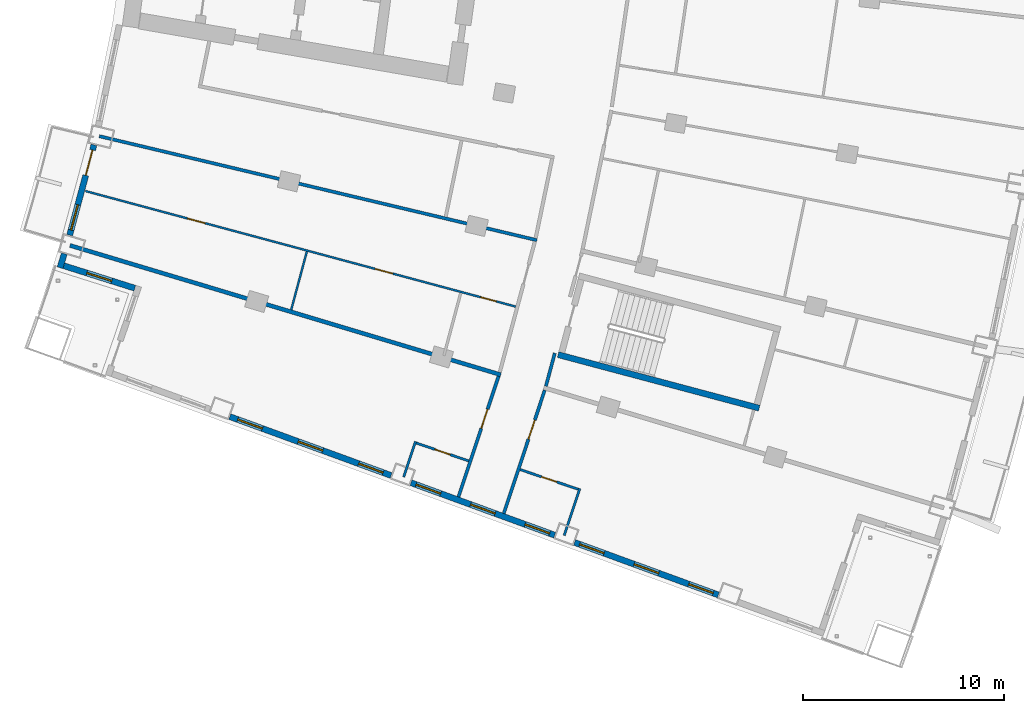
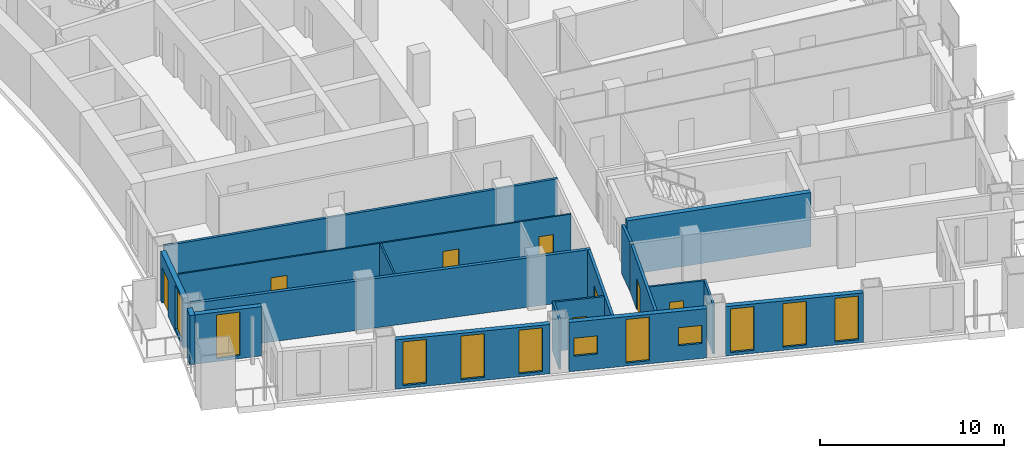
# One storey, part 13 of 25: 18 walls, 11 windows, 8 doors, 19 openings.
"""IFC4 building model written with IfcOpenShell, lengths in metres."""

from ifc_helpers import new_model, si_unit, direction, frame, frame_2d, origin, place, context, subcontext, project, spatial, rectangle, extrude, material, layer, layer_set, type_object, element, fill, save


model = new_model("IFC4")

# Units and contexts
model_context = context("Model", 3, precision=1e-05, world=origin(), true_north=direction((0.0, 1.0)))
body_context = subcontext(model_context, "Body", "Model", "MODEL_VIEW")
ifc_project = project(units=[si_unit("LENGTHUNIT", "METRE"), si_unit("AREAUNIT", "SQUARE_METRE"), si_unit("VOLUMEUNIT", "CUBIC_METRE"), si_unit("PLANEANGLEUNIT", "RADIAN"), si_unit("MASSUNIT", "GRAM", prefix="KILO")], contexts=[model_context])

# Site, building, storey
site_placement = place(None, origin())
site = spatial("IfcSite", under=ifc_project, at=site_placement, CompositionType="ELEMENT")
building_placement = place(site_placement, origin())
building = spatial("IfcBuilding", under=site, at=building_placement, Name="Alderwake Tower", CompositionType="ELEMENT")
storey_placement = place(building_placement, frame((0.0, 0.0, 86.0)))
storey = spatial("IfcBuildingStorey", under=building, at=storey_placement, Name="L20", CompositionType="ELEMENT", Elevation=86.0)

# Walls
ifc_material_1 = material(Name="Concrete C70/85", Category="concrete")
ifc_layer_1 = layer(ifc_material_1, 0.300048828125)
ifc_layer_set_1 = layer_set([ifc_layer_1], Name="Core wall stair enclosure 300 C70-85")
wall_type_1 = type_object("IfcWallType", Name="Core wall stair enclosure 300 C70-85", PredefinedType="SHEAR", material=ifc_layer_set_1)
wall_1_placement = place(storey_placement, frame((36.71142578125, 27.817626953125, 0.0), z_axis=(0.0, 0.0, 1.0), x_axis=(0.966309214305, -0.257383958996, 0.0)))
element("IfcWall", 1, at=wall_1_placement, inside=storey, type_object=wall_type_1, Name="Core wall CW.088", PredefinedType="SHEAR", context=body_context, shape_type="SweptSolid", body=[
    extrude(rectangle(XDim=10.360107421875, YDim=0.300048828125, at=frame_2d((5.18017578125, 0.0))), origin(), (0.0, 0.0, 1.0), 3.60009765625),
])
ifc_material_2 = material(Name="Gypsum board on metal studs, rated")
ifc_layer_2 = layer(ifc_material_2, 0.159912109375)
ifc_layer_set_2 = layer_set([ifc_layer_2], Name="Corridor wall 160")
wall_type_2 = type_object("IfcWallType", Name="Corridor wall 160", PredefinedType="PARTITIONING", material=ifc_layer_set_2)
wall_2_placement = place(storey_placement, frame((13.884033203125, 38.68798828125, 0.0), z_axis=(0.0, 0.0, 1.0), x_axis=(0.972893462073, -0.231253781493, 0.0)))
element("IfcWall", 2, at=wall_2_placement, inside=storey, type_object=wall_type_2, Name="WL/L20/W15", PredefinedType="PARTITIONING", context=body_context, shape_type="SweptSolid", body=[
    extrude(rectangle(XDim=22.38037109375, YDim=0.159912109375, at=frame_2d((11.190185546875, 0.0))), origin(), (0.0, 0.0, 1.0), 3.280029296875),
])

# Wall, opening, door
wall_3_placement = place(storey_placement, frame((31.7548828125, 20.739013671875, 0.0), z_axis=(0.0, 0.0, 1.0), x_axis=(0.31554473692, 0.948910701279, 0.0)))
wall_3 = element("IfcWall", 3, at=wall_3_placement, inside=storey, type_object=wall_type_2, Name="WL/L20/W21", PredefinedType="PARTITIONING", context=body_context, shape_type="SweptSolid", body=[
    extrude(rectangle(XDim=6.327392578125, YDim=0.159912109375, at=frame_2d((3.16357421875, 0.0))), origin(), (0.0, 0.0, 1.0), 3.280029296875),
])
opening_1_placement = place(wall_3_placement, frame((3.59130859375, 0.0, 0.0)))
opening_1 = element("IfcOpeningElement", 4, at=opening_1_placement, cuts=wall_3, Name="Opening R05-U09.1", PredefinedType="OPENING", context=body_context, shape_type="SweptSolid", body=[
    extrude(rectangle(XDim=1.0, YDim=2.10009765625, at=frame_2d((0.5, 1.050048828125))), frame((0.0, 0.08984375, 0.0), z_axis=(0.0, -1.0, 0.0), x_axis=(1.0, 0.0, 0.0)), (0.0, 0.0, 1.0), 0.179931640625),
])
ifc_material_3 = material(Name="Solid timber leaf in steel frame", Category="steel")
door_type_1 = type_object("IfcDoorType", Name="Flat entrance door 1000 fire-rated", OperationType="SINGLE_SWING_LEFT", PredefinedType="DOOR", material=ifc_material_3)
door_1_placement = place(opening_1_placement, origin())
door_1 = element("IfcDoor", 5, at=door_1_placement, inside=storey, type_object=door_type_1, Name="DR/L20/U09.1", OperationType="SINGLE_SWING_LEFT", OverallHeight=2.10009765625, OverallWidth=1.0, PredefinedType="DOOR", context=body_context, shape_type="SweptSolid", body=[
    extrude(rectangle(XDim=1.0, YDim=2.10009765625, at=frame_2d((0.5, 1.050048828125))), frame((0.0, 0.02490234375, 0.0), z_axis=(0.0, -1.0, 0.0), x_axis=(1.0, 0.0, 0.0)), (0.0, 0.0, 1.0), 0.050048828125),
])
fill(opening_1, door_1)

wall_4_placement = place(storey_placement, frame((36.049560546875, 26.052978515625, 0.0), z_axis=(0.0, 0.0, 1.0), x_axis=(-0.315151894598, -0.949041244273, 0.0)))
wall_4 = element("IfcWall", 6, at=wall_4_placement, inside=storey, type_object=wall_type_2, Name="WL/L20/W24", PredefinedType="PARTITIONING", context=body_context, shape_type="SweptSolid", body=[
    extrude(rectangle(XDim=6.468505859375, YDim=0.159912109375, at=frame_2d((3.234375, 0.0))), origin(), (0.0, 0.0, 1.0), 3.280029296875),
])
opening_2_placement = place(wall_4_placement, frame((1.570068359375, 0.0, 0.0)))
opening_2 = element("IfcOpeningElement", 7, at=opening_2_placement, cuts=wall_4, Name="Opening R05-U03.1", PredefinedType="OPENING", context=body_context, shape_type="SweptSolid", body=[
    extrude(rectangle(XDim=1.0, YDim=2.10009765625, at=frame_2d((0.5, 1.050048828125))), frame((0.0, 0.08984375, 0.0), z_axis=(0.0, -1.0, 0.0), x_axis=(1.0, 0.0, 0.0)), (0.0, 0.0, 1.0), 0.179931640625),
])
door_2_placement = place(opening_2_placement, origin())
door_2 = element("IfcDoor", 8, at=door_2_placement, inside=storey, type_object=door_type_1, Name="DR/L20/U03.1", OperationType="SINGLE_SWING_LEFT", OverallHeight=2.10009765625, OverallWidth=1.0, PredefinedType="DOOR", context=body_context, shape_type="SweptSolid", body=[
    extrude(rectangle(XDim=1.0, YDim=2.10009765625, at=frame_2d((0.5, 1.050048828125))), frame((0.0, 0.02490234375, 0.0), z_axis=(0.0, -1.0, 0.0), x_axis=(1.0, 0.0, 0.0)), (0.0, 0.0, 1.0), 0.050048828125),
])
fill(opening_2, door_2)

# Walls
wall_5_placement = place(storey_placement, frame((36.10693359375, 26.24462890625, 0.0), z_axis=(0.0, 0.0, 1.0), x_axis=(0.259346865847, 0.965784242559, 0.0)))
element("IfcWall", 9, at=wall_5_placement, inside=storey, type_object=wall_type_2, Name="WL/L20/W26", PredefinedType="PARTITIONING", context=body_context, shape_type="SweptSolid", body=[
    extrude(rectangle(XDim=1.704833984375, YDim=0.159912109375, at=frame_2d((0.8525390625, 0.0))), origin(), (0.0, 0.0, 1.0), 3.280029296875),
])
ifc_material_4 = material(Name="Precast concrete C50/60 spandrel panel", Category="concrete")
ifc_layer_3 = layer(ifc_material_4, 0.300048828125)
ifc_layer_set_3 = layer_set([ifc_layer_3], Name="External wall EW1 Precast concrete C50/60 spandrel")
wall_type_3 = type_object("IfcWallType", Name="External wall EW1 Precast concrete C50/60 spandrel", PredefinedType="SOLIDWALL", material=ifc_layer_set_3)
wall_6_placement = place(storey_placement, frame((12.14013671875, 32.83837890625, 0.0), z_axis=(0.0, 0.0, 1.0), x_axis=(-0.294604532955, -0.955619259518, 0.0)))
element("IfcWall", 10, at=wall_6_placement, inside=storey, type_object=wall_type_3, Name="External wall 1", PredefinedType="SOLIDWALL", context=body_context, shape_type="SweptSolid", body=[
    extrude(rectangle(XDim=0.7275390625, YDim=0.300048828125, at=frame_2d((0.36376953125, 0.0))), origin(), (0.0, 0.0, 1.0), 3.280029296875),
])

# Wall, openings, door, window
wall_7_placement = place(storey_placement, frame((13.61328125, 38.254150390625, 0.0), z_axis=(0.0, 0.0, 1.0), x_axis=(-0.259468933642, -0.965751454814, 0.0)))
wall_7 = element("IfcWall", 11, at=wall_7_placement, inside=storey, type_object=wall_type_3, Name="External wall 36", PredefinedType="SOLIDWALL", context=body_context, shape_type="SweptSolid", body=[
    extrude(rectangle(XDim=4.65087890625, YDim=0.300048828125, at=frame_2d((2.325439453125, 0.0))), origin(), (0.0, 0.0, 1.0), 3.280029296875),
])
opening_3_placement = place(wall_7_placement, frame((0.26708984375, 0.0, 0.0)))
opening_3 = element("IfcOpeningElement", 12, at=opening_3_placement, cuts=wall_7, Name="Opening D15", PredefinedType="OPENING", context=body_context, shape_type="SweptSolid", body=[
    extrude(rectangle(XDim=1.300048828125, YDim=2.39990234375, at=frame_2d((0.64990234375, 1.199951171875))), frame((0.0, 0.159912109375, 0.0), z_axis=(0.0, -1.0, 0.0), x_axis=(1.0, 0.0, 0.0)), (0.0, 0.0, 1.0), 0.320068359375),
])
opening_4_placement = place(wall_7_placement, frame((3.083984375, 0.0, 0.199951171875)))
opening_4 = element("IfcOpeningElement", 13, at=opening_4_placement, cuts=wall_7, Name="Opening W1", PredefinedType="OPENING", context=body_context, shape_type="SweptSolid", body=[
    extrude(rectangle(XDim=1.300048828125, YDim=2.89990234375, at=frame_2d((0.64990234375, 1.449951171875))), frame((0.0, 0.159912109375, 0.0), z_axis=(0.0, -1.0, 0.0), x_axis=(1.0, 0.0, 0.0)), (0.0, 0.0, 1.0), 0.320068359375),
])
ifc_material_5 = material(Name="Bronze tinted glass in aluminium frame", Category="aluminium")
door_type_2 = type_object("IfcDoorType", Name="Balcony door BD sliding", OperationType="SLIDING_TO_LEFT", PredefinedType="DOOR", material=ifc_material_5)
door_3_placement = place(opening_3_placement, origin())
door_3 = element("IfcDoor", 14, at=door_3_placement, inside=storey, type_object=door_type_2, Name="Door D15", OperationType="SLIDING_TO_LEFT", OverallHeight=2.39990234375, OverallWidth=1.300048828125, PredefinedType="DOOR", context=body_context, shape_type="SweptSolid", body=[
    extrude(rectangle(XDim=1.300048828125, YDim=2.39990234375, at=frame_2d((0.64990234375, 1.199951171875))), frame((0.0, 0.02490234375, 0.0), z_axis=(0.0, -1.0, 0.0), x_axis=(1.0, 0.0, 0.0)), (0.0, 0.0, 1.0), 0.050048828125),
])
fill(opening_3, door_3)
ifc_material_6 = material(Name="Bronze tinted glass in aluminium frame", Category="aluminium")
window_type_1 = type_object("IfcWindowType", Name="Window W1 tall fixed and vent", PartitioningType="DOUBLE_PANEL_VERTICAL", PredefinedType="WINDOW", material=ifc_material_6)
window_1_placement = place(opening_4_placement, origin())
window_1 = element("IfcWindow", 15, at=window_1_placement, inside=storey, type_object=window_type_1, Name="Window W1 tall fixed and vent", OverallHeight=2.89990234375, OverallWidth=1.300048828125, PartitioningType="DOUBLE_PANEL_VERTICAL", PredefinedType="WINDOW", context=body_context, shape_type="SweptSolid", body=[
    extrude(rectangle(XDim=1.300048828125, YDim=2.89990234375, at=frame_2d((0.64990234375, 1.449951171875))), frame((0.0, 0.030029296875, 0.0), z_axis=(0.0, -1.0, 0.0), x_axis=(1.0, 0.0, 0.0)), (0.0, 0.0, 1.0), 0.06005859375),
])
fill(opening_4, window_1)

# Wall, opening, window
ifc_material_7 = material(Name="Bronze metal cladding on lightweight framing")
ifc_layer_4 = layer(ifc_material_7, 0.300048828125)
ifc_layer_set_4 = layer_set([ifc_layer_4], Name="External wall EW2 bronze metal cladding")
wall_type_4 = type_object("IfcWallType", Name="External wall EW2 bronze metal cladding", PredefinedType="SOLIDWALL", material=ifc_layer_set_4)
wall_8_placement = place(storey_placement, frame((12.113037109375, 32.2412109375, 0.0), z_axis=(0.0, 0.0, 1.0), x_axis=(0.953458128271, -0.301525451054, 0.0)))
wall_8 = element("IfcWall", 16, at=wall_8_placement, inside=storey, type_object=wall_type_4, Name="External wall 2", PredefinedType="SOLIDWALL", context=body_context, shape_type="SweptSolid", body=[
    extrude(rectangle(XDim=3.705810546875, YDim=0.300048828125, at=frame_2d((1.85302734375, 0.0))), origin(), (0.0, 0.0, 1.0), 3.280029296875),
])
opening_5_placement = place(wall_8_placement, frame((1.202880859375, 0.0, 0.199951171875)))
opening_5 = element("IfcOpeningElement", 17, at=opening_5_placement, cuts=wall_8, Name="Opening W1", PredefinedType="OPENING", context=body_context, shape_type="SweptSolid", body=[
    extrude(rectangle(XDim=1.300048828125, YDim=2.89990234375, at=frame_2d((0.64990234375, 1.449951171875))), frame((0.0, 0.159912109375, 0.0), z_axis=(0.0, -1.0, 0.0), x_axis=(1.0, 0.0, 0.0)), (0.0, 0.0, 1.0), 0.320068359375),
])
window_2_placement = place(opening_5_placement, origin())
window_2 = element("IfcWindow", 18, at=window_2_placement, inside=storey, type_object=window_type_1, Name="Window W1 tall fixed and vent", OverallHeight=2.89990234375, OverallWidth=1.300048828125, PartitioningType="DOUBLE_PANEL_VERTICAL", PredefinedType="WINDOW", context=body_context, shape_type="SweptSolid", body=[
    extrude(rectangle(XDim=1.300048828125, YDim=2.89990234375, at=frame_2d((0.64990234375, 1.449951171875))), frame((0.0, 0.030029296875, 0.0), z_axis=(0.0, -1.0, 0.0), x_axis=(1.0, 0.0, 0.0)), (0.0, 0.0, 1.0), 0.06005859375),
])
fill(opening_5, window_2)

# Wall, openings, windows
wall_9_placement = place(storey_placement, frame((20.375244140625, 24.73291015625, 0.0), z_axis=(0.0, 0.0, 1.0), x_axis=(0.939364770023, -0.342919566137, 0.0)))
wall_9 = element("IfcWall", 19, at=wall_9_placement, inside=storey, type_object=wall_type_4, Name="External wall 5", PredefinedType="SOLIDWALL", context=body_context, shape_type="SweptSolid", body=[
    extrude(rectangle(XDim=8.54541015625, YDim=0.300048828125, at=frame_2d((4.272705078125, 0.0))), origin(), (0.0, 0.0, 1.0), 3.280029296875),
])
opening_6_placement = place(wall_9_placement, frame((0.422607421875, 0.0, 0.199951171875)))
opening_6 = element("IfcOpeningElement", 20, at=opening_6_placement, cuts=wall_9, Name="Opening W1", PredefinedType="OPENING", context=body_context, shape_type="SweptSolid", body=[
    extrude(rectangle(XDim=1.300048828125, YDim=2.89990234375, at=frame_2d((0.64990234375, 1.449951171875))), frame((0.0, 0.159912109375, 0.0), z_axis=(0.0, -1.0, 0.0), x_axis=(1.0, 0.0, 0.0)), (0.0, 0.0, 1.0), 0.320068359375),
])
opening_7_placement = place(wall_9_placement, frame((3.622802734375, 0.0, 0.199951171875)))
opening_7 = element("IfcOpeningElement", 21, at=opening_7_placement, cuts=wall_9, Name="Opening W1", PredefinedType="OPENING", context=body_context, shape_type="SweptSolid", body=[
    extrude(rectangle(XDim=1.300048828125, YDim=2.89990234375, at=frame_2d((0.64990234375, 1.449951171875))), frame((0.0, 0.159912109375, 0.0), z_axis=(0.0, -1.0, 0.0), x_axis=(1.0, 0.0, 0.0)), (0.0, 0.0, 1.0), 0.320068359375),
])
opening_8_placement = place(wall_9_placement, frame((6.82275390625, 0.0, 0.199951171875)))
opening_8 = element("IfcOpeningElement", 22, at=opening_8_placement, cuts=wall_9, Name="Opening W1", PredefinedType="OPENING", context=body_context, shape_type="SweptSolid", body=[
    extrude(rectangle(XDim=1.300048828125, YDim=2.89990234375, at=frame_2d((0.64990234375, 1.449951171875))), frame((0.0, 0.159912109375, 0.0), z_axis=(0.0, -1.0, 0.0), x_axis=(1.0, 0.0, 0.0)), (0.0, 0.0, 1.0), 0.320068359375),
])
window_3_placement = place(opening_6_placement, origin())
window_3 = element("IfcWindow", 23, at=window_3_placement, inside=storey, type_object=window_type_1, Name="Window W1 tall fixed and vent", OverallHeight=2.89990234375, OverallWidth=1.300048828125, PartitioningType="DOUBLE_PANEL_VERTICAL", PredefinedType="WINDOW", context=body_context, shape_type="SweptSolid", body=[
    extrude(rectangle(XDim=1.300048828125, YDim=2.89990234375, at=frame_2d((0.64990234375, 1.449951171875))), frame((0.0, 0.030029296875, 0.0), z_axis=(0.0, -1.0, 0.0), x_axis=(1.0, 0.0, 0.0)), (0.0, 0.0, 1.0), 0.06005859375),
])
fill(opening_6, window_3)
window_4_placement = place(opening_7_placement, origin())
window_4 = element("IfcWindow", 24, at=window_4_placement, inside=storey, type_object=window_type_1, Name="Window W1 tall fixed and vent", OverallHeight=2.89990234375, OverallWidth=1.300048828125, PartitioningType="DOUBLE_PANEL_VERTICAL", PredefinedType="WINDOW", context=body_context, shape_type="SweptSolid", body=[
    extrude(rectangle(XDim=1.300048828125, YDim=2.89990234375, at=frame_2d((0.64990234375, 1.449951171875))), frame((0.0, 0.030029296875, 0.0), z_axis=(0.0, -1.0, 0.0), x_axis=(1.0, 0.0, 0.0)), (0.0, 0.0, 1.0), 0.06005859375),
])
fill(opening_7, window_4)
window_5_placement = place(opening_8_placement, origin())
window_5 = element("IfcWindow", 25, at=window_5_placement, inside=storey, type_object=window_type_1, Name="Window W1 tall fixed and vent", OverallHeight=2.89990234375, OverallWidth=1.300048828125, PartitioningType="DOUBLE_PANEL_VERTICAL", PredefinedType="WINDOW", context=body_context, shape_type="SweptSolid", body=[
    extrude(rectangle(XDim=1.300048828125, YDim=2.89990234375, at=frame_2d((0.64990234375, 1.449951171875))), frame((0.0, 0.030029296875, 0.0), z_axis=(0.0, -1.0, 0.0), x_axis=(1.0, 0.0, 0.0)), (0.0, 0.0, 1.0), 0.06005859375),
])
fill(opening_8, window_5)

wall_10_placement = place(storey_placement, frame((29.39306640625, 21.44091796875, 0.0), z_axis=(0.0, 0.0, 1.0), x_axis=(0.939383555457, -0.342868102536, 0.0)))
wall_10 = element("IfcWall", 26, at=wall_10_placement, inside=storey, type_object=wall_type_4, Name="External wall 6", PredefinedType="SOLIDWALL", context=body_context, shape_type="SweptSolid", body=[
    extrude(rectangle(XDim=7.612548828125, YDim=0.300048828125, at=frame_2d((3.80615234375, 0.0))), origin(), (0.0, 0.0, 1.0), 3.280029296875),
])
opening_9_placement = place(wall_10_placement, frame((0.267333984375, 0.0, 1.0)))
opening_9 = element("IfcOpeningElement", 27, at=opening_9_placement, cuts=wall_10, Name="Opening W2", PredefinedType="OPENING", context=body_context, shape_type="SweptSolid", body=[
    extrude(rectangle(XDim=1.300048828125, YDim=1.199951171875, at=frame_2d((0.64990234375, 0.60009765625))), frame((0.0, 0.159912109375, 0.0), z_axis=(0.0, -1.0, 0.0), x_axis=(1.0, 0.0, 0.0)), (0.0, 0.0, 1.0), 0.320068359375),
])
opening_10_placement = place(wall_10_placement, frame((3.15625, 0.0, 0.199951171875)))
opening_10 = element("IfcOpeningElement", 28, at=opening_10_placement, cuts=wall_10, Name="Opening W1", PredefinedType="OPENING", context=body_context, shape_type="SweptSolid", body=[
    extrude(rectangle(XDim=1.300048828125, YDim=2.89990234375, at=frame_2d((0.64990234375, 1.449951171875))), frame((0.0, 0.159912109375, 0.0), z_axis=(0.0, -1.0, 0.0), x_axis=(1.0, 0.0, 0.0)), (0.0, 0.0, 1.0), 0.320068359375),
])
opening_11_placement = place(wall_10_placement, frame((6.045166015625, 0.0, 1.0)))
opening_11 = element("IfcOpeningElement", 29, at=opening_11_placement, cuts=wall_10, Name="Opening W2", PredefinedType="OPENING", context=body_context, shape_type="SweptSolid", body=[
    extrude(rectangle(XDim=1.300048828125, YDim=1.199951171875, at=frame_2d((0.64990234375, 0.60009765625))), frame((0.0, 0.159912109375, 0.0), z_axis=(0.0, -1.0, 0.0), x_axis=(1.0, 0.0, 0.0)), (0.0, 0.0, 1.0), 0.320068359375),
])
window_6_placement = place(opening_10_placement, origin())
window_6 = element("IfcWindow", 30, at=window_6_placement, inside=storey, type_object=window_type_1, Name="Window W1 tall fixed and vent", OverallHeight=2.89990234375, OverallWidth=1.300048828125, PartitioningType="DOUBLE_PANEL_VERTICAL", PredefinedType="WINDOW", context=body_context, shape_type="SweptSolid", body=[
    extrude(rectangle(XDim=1.300048828125, YDim=2.89990234375, at=frame_2d((0.64990234375, 1.449951171875))), frame((0.0, 0.030029296875, 0.0), z_axis=(0.0, -1.0, 0.0), x_axis=(1.0, 0.0, 0.0)), (0.0, 0.0, 1.0), 0.06005859375),
])
fill(opening_10, window_6)
ifc_material_8 = material(Name="Bronze tinted glass in aluminium frame", Category="aluminium")
window_type_2 = type_object("IfcWindowType", Name="Window W2 kitchen and bath", PartitioningType="SINGLE_PANEL", PredefinedType="WINDOW", material=ifc_material_8)
window_7_placement = place(opening_9_placement, origin())
window_7 = element("IfcWindow", 31, at=window_7_placement, inside=storey, type_object=window_type_2, Name="Window W2 kitchen and bath", OverallHeight=1.199951171875, OverallWidth=1.300048828125, PartitioningType="SINGLE_PANEL", PredefinedType="WINDOW", context=body_context, shape_type="SweptSolid", body=[
    extrude(rectangle(XDim=1.300048828125, YDim=1.199951171875, at=frame_2d((0.64990234375, 0.60009765625))), frame((0.0, 0.030029296875, 0.0), z_axis=(0.0, -1.0, 0.0), x_axis=(1.0, 0.0, 0.0)), (0.0, 0.0, 1.0), 0.06005859375),
])
fill(opening_9, window_7)
window_8_placement = place(opening_11_placement, origin())
window_8 = element("IfcWindow", 32, at=window_8_placement, inside=storey, type_object=window_type_2, Name="Window W2 kitchen and bath", OverallHeight=1.199951171875, OverallWidth=1.300048828125, PartitioningType="SINGLE_PANEL", PredefinedType="WINDOW", context=body_context, shape_type="SweptSolid", body=[
    extrude(rectangle(XDim=1.300048828125, YDim=1.199951171875, at=frame_2d((0.64990234375, 0.60009765625))), frame((0.0, 0.030029296875, 0.0), z_axis=(0.0, -1.0, 0.0), x_axis=(1.0, 0.0, 0.0)), (0.0, 0.0, 1.0), 0.06005859375),
])
fill(opening_11, window_8)

wall_11_placement = place(storey_placement, frame((37.534423828125, 18.46923828125, 0.0), z_axis=(0.0, 0.0, 1.0), x_axis=(0.939373225656, -0.342896402606, 0.0)))
wall_11 = element("IfcWall", 33, at=wall_11_placement, inside=storey, type_object=wall_type_4, Name="External wall 7", PredefinedType="SOLIDWALL", context=body_context, shape_type="SweptSolid", body=[
    extrude(rectangle(XDim=7.612548828125, YDim=0.300048828125, at=frame_2d((3.80615234375, 0.0))), origin(), (0.0, 0.0, 1.0), 3.280029296875),
])
opening_12_placement = place(wall_11_placement, frame((0.267333984375, 0.0, 0.199951171875)))
opening_12 = element("IfcOpeningElement", 34, at=opening_12_placement, cuts=wall_11, Name="Opening W1", PredefinedType="OPENING", context=body_context, shape_type="SweptSolid", body=[
    extrude(rectangle(XDim=1.300048828125, YDim=2.89990234375, at=frame_2d((0.64990234375, 1.449951171875))), frame((0.0, 0.159912109375, 0.0), z_axis=(0.0, -1.0, 0.0), x_axis=(1.0, 0.0, 0.0)), (0.0, 0.0, 1.0), 0.320068359375),
])
opening_13_placement = place(wall_11_placement, frame((3.15625, 0.0, 0.199951171875)))
opening_13 = element("IfcOpeningElement", 35, at=opening_13_placement, cuts=wall_11, Name="Opening W1", PredefinedType="OPENING", context=body_context, shape_type="SweptSolid", body=[
    extrude(rectangle(XDim=1.300048828125, YDim=2.89990234375, at=frame_2d((0.64990234375, 1.449951171875))), frame((0.0, 0.159912109375, 0.0), z_axis=(0.0, -1.0, 0.0), x_axis=(1.0, 0.0, 0.0)), (0.0, 0.0, 1.0), 0.320068359375),
])
opening_14_placement = place(wall_11_placement, frame((6.045166015625, 0.0, 0.199951171875)))
opening_14 = element("IfcOpeningElement", 36, at=opening_14_placement, cuts=wall_11, Name="Opening W1", PredefinedType="OPENING", context=body_context, shape_type="SweptSolid", body=[
    extrude(rectangle(XDim=1.300048828125, YDim=2.89990234375, at=frame_2d((0.64990234375, 1.449951171875))), frame((0.0, 0.159912109375, 0.0), z_axis=(0.0, -1.0, 0.0), x_axis=(1.0, 0.0, 0.0)), (0.0, 0.0, 1.0), 0.320068359375),
])
window_9_placement = place(opening_12_placement, origin())
window_9 = element("IfcWindow", 37, at=window_9_placement, inside=storey, type_object=window_type_1, Name="Window W1 tall fixed and vent", OverallHeight=2.89990234375, OverallWidth=1.300048828125, PartitioningType="DOUBLE_PANEL_VERTICAL", PredefinedType="WINDOW", context=body_context, shape_type="SweptSolid", body=[
    extrude(rectangle(XDim=1.300048828125, YDim=2.89990234375, at=frame_2d((0.64990234375, 1.449951171875))), frame((0.0, 0.030029296875, 0.0), z_axis=(0.0, -1.0, 0.0), x_axis=(1.0, 0.0, 0.0)), (0.0, 0.0, 1.0), 0.06005859375),
])
fill(opening_12, window_9)
window_10_placement = place(opening_13_placement, origin())
window_10 = element("IfcWindow", 38, at=window_10_placement, inside=storey, type_object=window_type_1, Name="Window W1 tall fixed and vent", OverallHeight=2.89990234375, OverallWidth=1.300048828125, PartitioningType="DOUBLE_PANEL_VERTICAL", PredefinedType="WINDOW", context=body_context, shape_type="SweptSolid", body=[
    extrude(rectangle(XDim=1.300048828125, YDim=2.89990234375, at=frame_2d((0.64990234375, 1.449951171875))), frame((0.0, 0.030029296875, 0.0), z_axis=(0.0, -1.0, 0.0), x_axis=(1.0, 0.0, 0.0)), (0.0, 0.0, 1.0), 0.06005859375),
])
fill(opening_13, window_10)
window_11_placement = place(opening_14_placement, origin())
window_11 = element("IfcWindow", 39, at=window_11_placement, inside=storey, type_object=window_type_1, Name="Window W1 tall fixed and vent", OverallHeight=2.89990234375, OverallWidth=1.300048828125, PartitioningType="DOUBLE_PANEL_VERTICAL", PredefinedType="WINDOW", context=body_context, shape_type="SweptSolid", body=[
    extrude(rectangle(XDim=1.300048828125, YDim=2.89990234375, at=frame_2d((0.64990234375, 1.449951171875))), frame((0.0, 0.030029296875, 0.0), z_axis=(0.0, -1.0, 0.0), x_axis=(1.0, 0.0, 0.0)), (0.0, 0.0, 1.0), 0.06005859375),
])
fill(opening_14, window_11)

# Wall
ifc_material_9 = material(Name="Dense block masonry wall", Category="masonry")
ifc_layer_5 = layer(ifc_material_9, 0.199951171875)
ifc_layer_set_5 = layer_set([ifc_layer_5], Name="Party wall 200")
wall_type_5 = type_object("IfcWallType", Name="Party wall 200", PredefinedType="SOLIDWALL", material=ifc_layer_set_5)
wall_12_placement = place(storey_placement, frame((33.859619140625, 26.81494140625, 0.0), z_axis=(0.0, 0.0, 1.0), x_axis=(-0.95775179957, 0.287596054251, 0.0)))
element("IfcWall", 40, at=wall_12_placement, inside=storey, type_object=wall_type_5, Name="WL/L20/W03", PredefinedType="SOLIDWALL", context=body_context, shape_type="SweptSolid", body=[
    extrude(rectangle(XDim=22.382080078125, YDim=0.199951171875, at=frame_2d((11.19091796875, 0.0))), origin(), (0.0, 0.0, 1.0), 3.280029296875),
])

# Wall, openings, doors
ifc_material_10 = material(Name="Gypsum board on metal studs")
ifc_layer_6 = layer(ifc_material_10, 0.10009765625)
ifc_layer_set_6 = layer_set([ifc_layer_6], Name="Unit partition 100")
wall_type_6 = type_object("IfcWallType", Name="Unit partition 100", PredefinedType="PARTITIONING", material=ifc_layer_set_6)
wall_13_placement = place(storey_placement, frame((34.605712890625, 30.206787109375, 0.0), z_axis=(0.0, 0.0, 1.0), x_axis=(-0.965767846078, 0.259407917152, 0.0)))
wall_13 = element("IfcWall", 41, at=wall_13_placement, inside=storey, type_object=wall_type_6, Name="WL/L20/W64", PredefinedType="PARTITIONING", context=body_context, shape_type="SweptSolid", body=[
    extrude(rectangle(XDim=22.170654296875, YDim=0.10009765625, at=frame_2d((11.08544921875, 0.0))), origin(), (0.0, 0.0, 1.0), 3.280029296875),
])
opening_15_placement = place(wall_13_placement, frame((6.335205078125, 0.0, 0.0)))
opening_15 = element("IfcOpeningElement", 42, at=opening_15_placement, cuts=wall_13, Name="Opening R05-U10.1", PredefinedType="OPENING", context=body_context, shape_type="SweptSolid", body=[
    extrude(rectangle(XDim=0.89990234375, YDim=2.10009765625, at=frame_2d((0.449951171875, 1.050048828125))), frame((0.0, 0.06005859375, 0.0), z_axis=(0.0, -1.0, 0.0), x_axis=(1.0, 0.0, 0.0)), (0.0, 0.0, 1.0), 0.1201171875),
])
opening_16_placement = place(wall_13_placement, frame((1.010009765625, 0.0, 0.0)))
opening_16 = element("IfcOpeningElement", 43, at=opening_16_placement, cuts=wall_13, Name="Opening R05-U10.3", PredefinedType="OPENING", context=body_context, shape_type="SweptSolid", body=[
    extrude(rectangle(XDim=0.800048828125, YDim=2.10009765625, at=frame_2d((0.39990234375, 1.050048828125))), frame((0.0, 0.06005859375, 0.0), z_axis=(0.0, -1.0, 0.0), x_axis=(1.0, 0.0, 0.0)), (0.0, 0.0, 1.0), 0.1201171875),
])
opening_17_placement = place(wall_13_placement, frame((16.010498046875, 0.0, 0.0)))
opening_17 = element("IfcOpeningElement", 44, at=opening_17_placement, cuts=wall_13, Name="Opening R05-U10.4", PredefinedType="OPENING", context=body_context, shape_type="SweptSolid", body=[
    extrude(rectangle(XDim=0.89990234375, YDim=2.10009765625, at=frame_2d((0.449951171875, 1.050048828125))), frame((0.0, 0.06005859375, 0.0), z_axis=(0.0, -1.0, 0.0), x_axis=(1.0, 0.0, 0.0)), (0.0, 0.0, 1.0), 0.1201171875),
])
ifc_material_11 = material(Name="Painted timber leaf", Category="wood")
door_type_3 = type_object("IfcDoorType", Name="Bathroom door 800", OperationType="SINGLE_SWING_LEFT", PredefinedType="DOOR", material=ifc_material_11)
door_4_placement = place(opening_16_placement, origin())
door_4 = element("IfcDoor", 45, at=door_4_placement, inside=storey, type_object=door_type_3, Name="DR/L20/U10.3", OperationType="SINGLE_SWING_LEFT", OverallHeight=2.10009765625, OverallWidth=0.800048828125, PredefinedType="DOOR", context=body_context, shape_type="SweptSolid", body=[
    extrude(rectangle(XDim=0.800048828125, YDim=2.10009765625, at=frame_2d((0.39990234375, 1.050048828125))), frame((0.0, 0.02490234375, 0.0), z_axis=(0.0, -1.0, 0.0), x_axis=(1.0, 0.0, 0.0)), (0.0, 0.0, 1.0), 0.050048828125),
])
fill(opening_16, door_4)
ifc_material_12 = material(Name="Painted timber leaf", Category="wood")
door_type_4 = type_object("IfcDoorType", Name="Room door 900", OperationType="SINGLE_SWING_LEFT", PredefinedType="DOOR", material=ifc_material_12)
door_5_placement = place(opening_15_placement, origin())
door_5 = element("IfcDoor", 46, at=door_5_placement, inside=storey, type_object=door_type_4, Name="DR/L20/U10.1", OperationType="SINGLE_SWING_LEFT", OverallHeight=2.10009765625, OverallWidth=0.89990234375, PredefinedType="DOOR", context=body_context, shape_type="SweptSolid", body=[
    extrude(rectangle(XDim=0.89990234375, YDim=2.10009765625, at=frame_2d((0.449951171875, 1.050048828125))), frame((0.0, 0.02490234375, 0.0), z_axis=(0.0, -1.0, 0.0), x_axis=(1.0, 0.0, 0.0)), (0.0, 0.0, 1.0), 0.050048828125),
])
fill(opening_15, door_5)
door_6_placement = place(opening_17_placement, origin())
door_6 = element("IfcDoor", 47, at=door_6_placement, inside=storey, type_object=door_type_4, Name="DR/L20/U10.4", OperationType="SINGLE_SWING_LEFT", OverallHeight=2.10009765625, OverallWidth=0.89990234375, PredefinedType="DOOR", context=body_context, shape_type="SweptSolid", body=[
    extrude(rectangle(XDim=0.89990234375, YDim=2.10009765625, at=frame_2d((0.449951171875, 1.050048828125))), frame((0.0, 0.02490234375, 0.0), z_axis=(0.0, -1.0, 0.0), x_axis=(1.0, 0.0, 0.0)), (0.0, 0.0, 1.0), 0.050048828125),
])
fill(opening_17, door_6)

# Walls
wall_14_placement = place(storey_placement, frame((24.208984375, 32.94580078125, 0.0), z_axis=(0.0, 0.0, 1.0), x_axis=(-0.259310212645, -0.965794084481, 0.0)))
element("IfcWall", 48, at=wall_14_placement, inside=storey, type_object=wall_type_6, Name="WL/L20/W65", PredefinedType="PARTITIONING", context=body_context, shape_type="SweptSolid", body=[
    extrude(rectangle(XDim=2.996826171875, YDim=0.10009765625, at=frame_2d((1.49853515625, 0.0))), origin(), (0.0, 0.0, 1.0), 3.280029296875),
])
ifc_material_13 = material(Name="Moisture resistant gypsum board on metal studs")
ifc_layer_7 = layer(ifc_material_13, 0.1201171875)
ifc_layer_set_7 = layer_set([ifc_layer_7], Name="Wet room partition 120")
wall_type_7 = type_object("IfcWallType", Name="Wet room partition 120", PredefinedType="PARTITIONING", material=ifc_layer_set_7)
wall_15_placement = place(storey_placement, frame((29.616943359375, 23.495849609375, 0.0), z_axis=(0.0, 0.0, 1.0), x_axis=(-0.315242462823, -0.949011164125, 0.0)))
element("IfcWall", 49, at=wall_15_placement, inside=storey, type_object=wall_type_7, Name="WL/L20/W44", PredefinedType="PARTITIONING", context=body_context, shape_type="SweptSolid", body=[
    extrude(rectangle(XDim=1.858642578125, YDim=0.1201171875, at=frame_2d((0.92919921875, 0.0))), origin(), (0.0, 0.0, 1.0), 3.280029296875),
])

# Wall, opening, door
wall_16_placement = place(storey_placement, frame((32.264404296875, 22.52587890625, 0.0), z_axis=(0.0, 0.0, 1.0), x_axis=(-0.946049080569, 0.324023358964, 0.0)))
wall_16 = element("IfcWall", 50, at=wall_16_placement, inside=storey, type_object=wall_type_7, Name="WL/L20/W49", PredefinedType="PARTITIONING", context=body_context, shape_type="SweptSolid", body=[
    extrude(rectangle(XDim=2.758544921875, YDim=0.1201171875, at=frame_2d((1.37939453125, 0.0))), origin(), (0.0, 0.0, 1.0), 3.280029296875),
])
opening_18_placement = place(wall_16_placement, frame((0.979248046875, 0.0, 0.0)))
opening_18 = element("IfcOpeningElement", 51, at=opening_18_placement, cuts=wall_16, Name="Opening R05-U09.2", PredefinedType="OPENING", context=body_context, shape_type="SweptSolid", body=[
    extrude(rectangle(XDim=0.800048828125, YDim=2.10009765625, at=frame_2d((0.39990234375, 1.050048828125))), frame((0.0, 0.070068359375, 0.0), z_axis=(0.0, -1.0, 0.0), x_axis=(1.0, 0.0, 0.0)), (0.0, 0.0, 1.0), 0.14013671875),
])
door_7_placement = place(opening_18_placement, origin())
door_7 = element("IfcDoor", 52, at=door_7_placement, inside=storey, type_object=door_type_3, Name="DR/L20/U09.2", OperationType="SINGLE_SWING_LEFT", OverallHeight=2.10009765625, OverallWidth=0.800048828125, PredefinedType="DOOR", context=body_context, shape_type="SweptSolid", body=[
    extrude(rectangle(XDim=0.800048828125, YDim=2.10009765625, at=frame_2d((0.39990234375, 1.050048828125))), frame((0.0, 0.02490234375, 0.0), z_axis=(0.0, -1.0, 0.0), x_axis=(1.0, 0.0, 0.0)), (0.0, 0.0, 1.0), 0.050048828125),
])
fill(opening_18, door_7)

# Wall
wall_17_placement = place(storey_placement, frame((37.01708984375, 18.819091796875, 0.0), z_axis=(0.0, 0.0, 1.0), x_axis=(0.314739948462, 0.949177941612, 0.0)))
element("IfcWall", 53, at=wall_17_placement, inside=storey, type_object=wall_type_7, Name="WL/L20/W51", PredefinedType="PARTITIONING", context=body_context, shape_type="SweptSolid", body=[
    extrude(rectangle(XDim=2.462158203125, YDim=0.1201171875, at=frame_2d((1.23095703125, 0.0))), origin(), (0.0, 0.0, 1.0), 3.280029296875),
])

# Wall, opening, door
wall_18_placement = place(storey_placement, frame((37.71630859375, 21.1181640625, 0.0), z_axis=(0.0, 0.0, 1.0), x_axis=(-0.947164130145, 0.320749295505, 0.0)))
wall_18 = element("IfcWall", 54, at=wall_18_placement, inside=storey, type_object=wall_type_7, Name="WL/L20/W52", PredefinedType="PARTITIONING", context=body_context, shape_type="SweptSolid", body=[
    extrude(rectangle(XDim=3.05908203125, YDim=0.1201171875, at=frame_2d((1.529541015625, 0.0))), origin(), (0.0, 0.0, 1.0), 3.280029296875),
])
opening_19_placement = place(wall_18_placement, frame((1.12939453125, 0.0, 0.0)))
opening_19 = element("IfcOpeningElement", 55, at=opening_19_placement, cuts=wall_18, Name="Opening R05-U03.2", PredefinedType="OPENING", context=body_context, shape_type="SweptSolid", body=[
    extrude(rectangle(XDim=0.800048828125, YDim=2.10009765625, at=frame_2d((0.39990234375, 1.050048828125))), frame((0.0, 0.070068359375, 0.0), z_axis=(0.0, -1.0, 0.0), x_axis=(1.0, 0.0, 0.0)), (0.0, 0.0, 1.0), 0.14013671875),
])
door_8_placement = place(opening_19_placement, origin())
door_8 = element("IfcDoor", 56, at=door_8_placement, inside=storey, type_object=door_type_3, Name="DR/L20/U03.2", OperationType="SINGLE_SWING_LEFT", OverallHeight=2.10009765625, OverallWidth=0.800048828125, PredefinedType="DOOR", context=body_context, shape_type="SweptSolid", body=[
    extrude(rectangle(XDim=0.800048828125, YDim=2.10009765625, at=frame_2d((0.39990234375, 1.050048828125))), frame((0.0, 0.02490234375, 0.0), z_axis=(0.0, -1.0, 0.0), x_axis=(1.0, 0.0, 0.0)), (0.0, 0.0, 1.0), 0.050048828125),
])
fill(opening_19, door_8)

save(model, "model.ifc")
